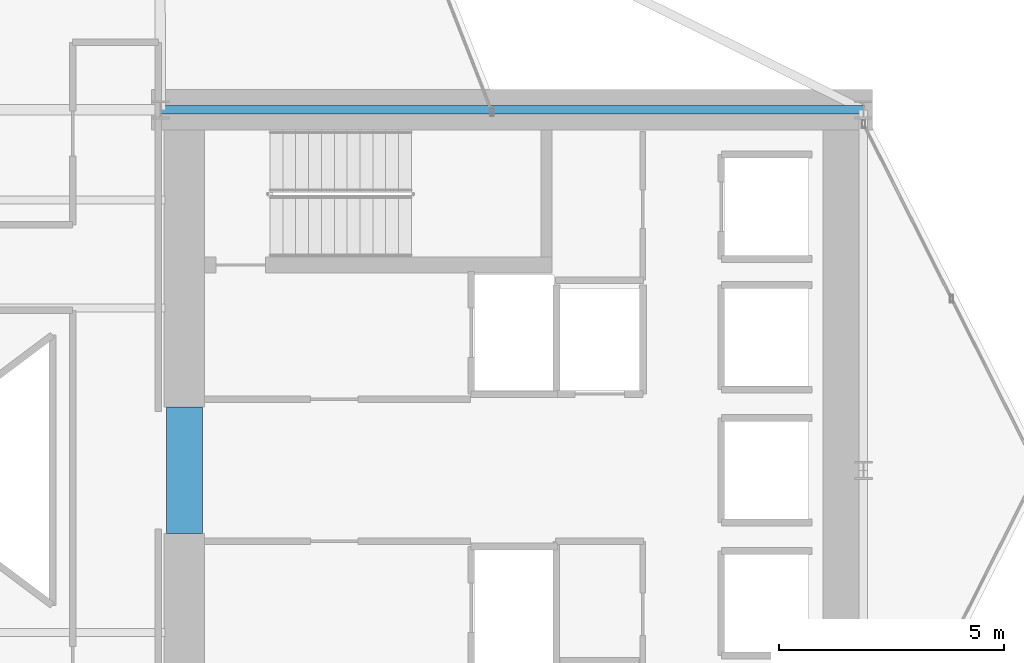
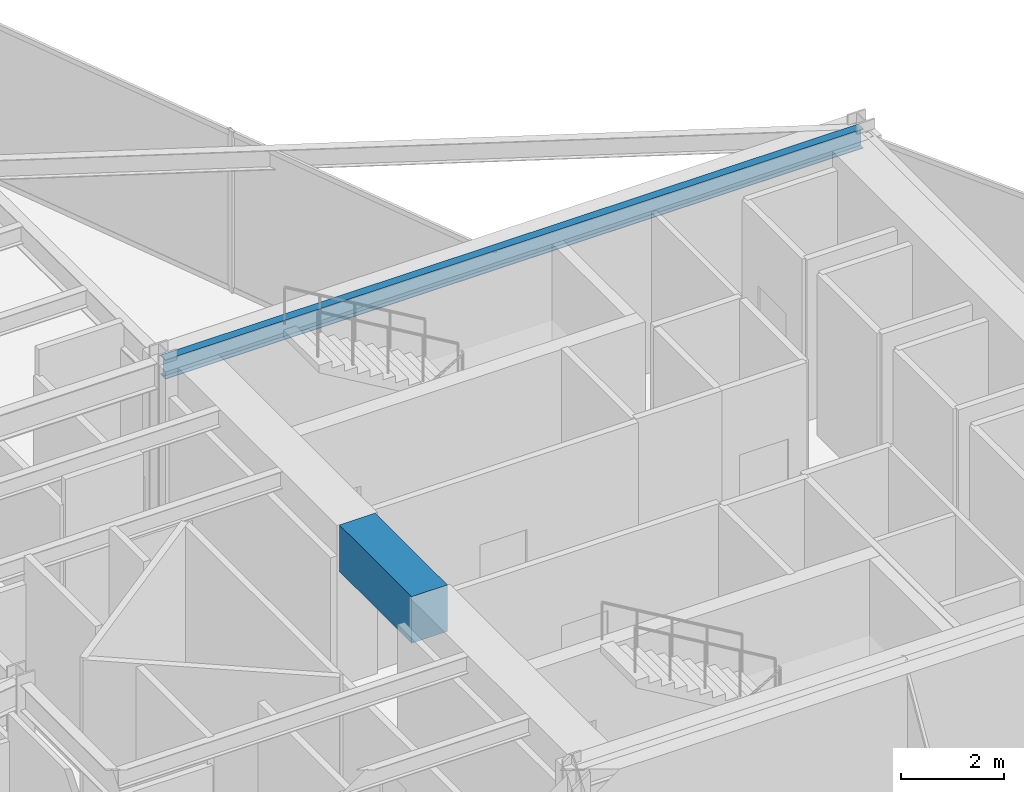
# One storey, part 17 of 30: 2 beams.
"""IFC4 building model written with IfcOpenShell, lengths in metres."""

from ifc_helpers import new_model, si_unit, direction, frame, origin, origin_2d, place, context, subcontext, project, spatial, rectangle, i_section, extrude, material, material_profile, profile_set, type_object, element, save


model = new_model("IFC4")

# Units and contexts
model_context = context("Model", 3, precision=1e-05, world=origin(), true_north=direction((0.0, 1.0)))
body_context = subcontext(model_context, "Body", "Model", "MODEL_VIEW")
ifc_project = project(units=[si_unit("LENGTHUNIT", "METRE"), si_unit("AREAUNIT", "SQUARE_METRE"), si_unit("VOLUMEUNIT", "CUBIC_METRE"), si_unit("PLANEANGLEUNIT", "RADIAN"), si_unit("MASSUNIT", "GRAM", prefix="KILO")], contexts=[model_context])

# Site, building, storey
site_placement = place(None, origin())
site = spatial("IfcSite", under=ifc_project, at=site_placement, CompositionType="ELEMENT")
building_placement = place(site_placement, origin())
building = spatial("IfcBuilding", under=site, at=building_placement, Name="Veymaron Broadcast Tower", CompositionType="ELEMENT")
storey_placement = place(building_placement, frame((0.0, 0.0, 54.0)))
storey = spatial("IfcBuildingStorey", under=building, at=storey_placement, Name="L11", CompositionType="ELEMENT", Elevation=54.0)

# Beams
ifc_material_1 = material(Name="Concrete C70/85", Category="concrete")
ifc_material_profile_1 = material_profile(ifc_material_1, rectangle(XDim=0.800048828125, YDim=1.10009765625, at=origin_2d()), Name="RC800X1100")
ifc_profile_set_1 = profile_set([ifc_material_profile_1], Name="Concrete C70/85")
beam_type_1 = type_object("IfcBeamType", Name="BM-CB1", PredefinedType="LINTEL", material=ifc_profile_set_1)
beam_1_placement = place(storey_placement, frame((39.530029296875, 22.60009765625, 3.260009765625), z_axis=(0.0, 1.0, 0.0), x_axis=(-1.0, 0.0, 0.0)))
element("IfcBeam", 1, at=beam_1_placement, inside=storey, type_object=beam_type_1, Name="L11 Core Wall west coupling beam", PredefinedType="LINTEL", context=body_context, shape_type="SweptSolid", body=[
    extrude(rectangle(XDim=0.800048828125, YDim=1.10009765625, at=origin_2d()), origin(), (0.0, 0.0, 1.0), 2.7998046875),
])
ifc_material_2 = material(Name="Structural steel ASTM A992 Gr 50", Category="steel")
ifc_material_profile_2 = material_profile(ifc_material_2, i_section(OverallWidth=0.19091796875, OverallDepth=0.4599609375, WebThickness=0.010009765625, FlangeThickness=0.01611328125, at=origin_2d()), Name="W460X82")
ifc_profile_set_2 = profile_set([ifc_material_profile_2], Name="Structural steel ASTM A992 Gr 50")
beam_type_2 = type_object("IfcBeamType", Name="BM-SP1", PredefinedType="SPANDREL", material=ifc_profile_set_2)
beam_2_placement = place(storey_placement, frame((39.0, 32.0, 3.580078125), z_axis=(1.0, 0.0, 0.0), x_axis=(0.0, 1.0, 0.0)))
element("IfcBeam", 2, at=beam_2_placement, inside=storey, type_object=beam_type_2, Name="L11 primary structural floor girder", PredefinedType="SPANDREL", context=body_context, shape_type="SweptSolid", body=[
    extrude(i_section(OverallWidth=0.19091796875, OverallDepth=0.4599609375, WebThickness=0.010009765625, FlangeThickness=0.01611328125, at=origin_2d()), origin(), (0.0, 0.0, 1.0), 15.60009765625),
])

save(model, "model.ifc")
